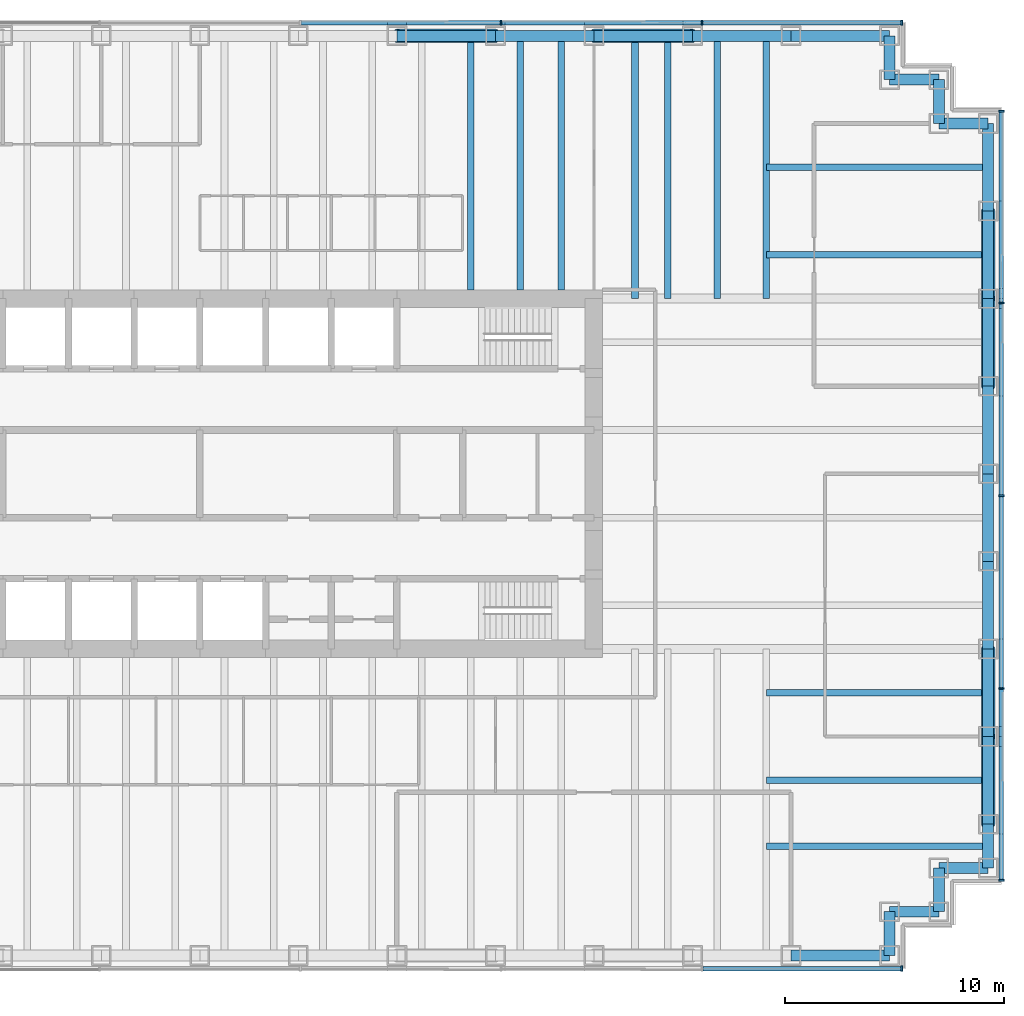
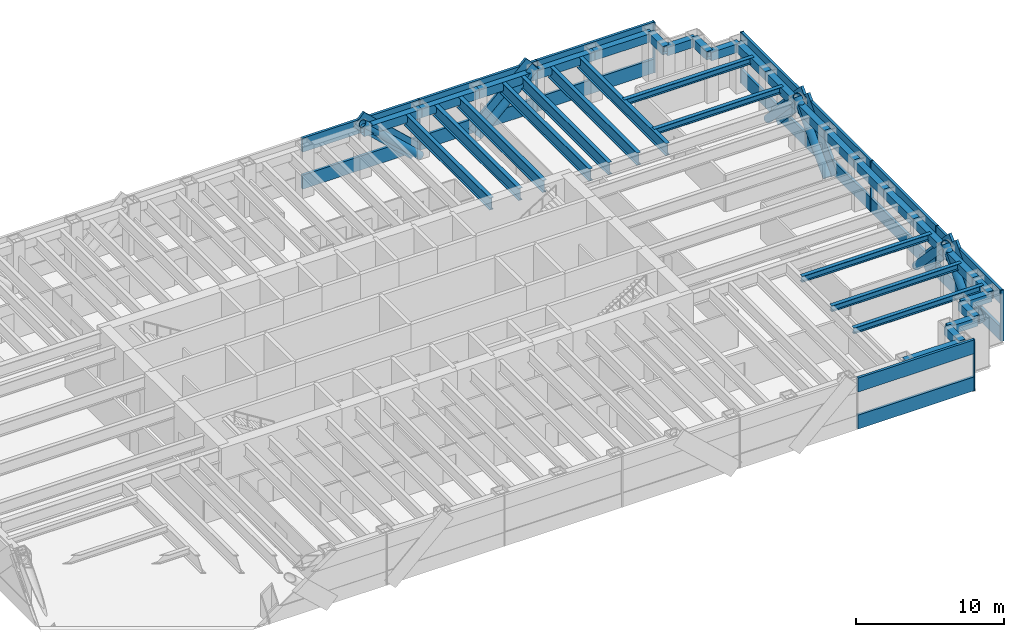
# One storey, part 6 of 12: 37 members, 35 beams, 3 elements without a shape of their own.
"""IFC4 building model written with IfcOpenShell, lengths in metres."""

from ifc_helpers import new_model, si_unit, direction, frame, origin, origin_2d, place, context, subcontext, project, spatial, rectangle, hollow_rectangle, hollow_circle, i_section, extrude, material, material_profile, profile_set, type_object, element, aggregate, save


model = new_model("IFC4")

# Units and contexts
model_context = context("Model", 3, precision=1e-05, world=origin(), true_north=direction((0.0, 1.0)))
body_context = subcontext(model_context, "Body", "Model", "MODEL_VIEW")
ifc_project = project(units=[si_unit("LENGTHUNIT", "METRE"), si_unit("AREAUNIT", "SQUARE_METRE"), si_unit("VOLUMEUNIT", "CUBIC_METRE"), si_unit("PLANEANGLEUNIT", "RADIAN"), si_unit("MASSUNIT", "GRAM", prefix="KILO")], contexts=[model_context])

# Site, building, storey
site_placement = place(None, origin())
site = spatial("IfcSite", under=ifc_project, at=site_placement, CompositionType="ELEMENT")
building_placement = place(site_placement, origin())
building = spatial("IfcBuilding", under=site, at=building_placement, Name="Rheinbord Bourse Tower", CompositionType="ELEMENT")
storey_placement = place(building_placement, frame((0.0, 0.0, 261.39990234375)))
storey = spatial("IfcBuildingStorey", under=building, at=storey_placement, Name="L59", CompositionType="ELEMENT", Elevation=261.39990234375)

# Beams
ifc_material_1 = material(Name="Steel S460M", Category="steel")
ifc_material_profile_1 = material_profile(ifc_material_1, hollow_rectangle(XDim=0.5, YDim=0.699951171875, WallThickness=0.0400390625, at=origin_2d()), Name="BOX 700x500x40")
ifc_profile_set_1 = profile_set([ifc_material_profile_1], Name="Steel S460M")
beam_type_1 = type_object("IfcBeamType", Name="BELT CHORD BOX 700x500x40", PredefinedType="SPANDREL", material=ifc_profile_set_1)
beam_1_placement = place(storey_placement, frame((63.0, 2.0, 3.60009765625), z_axis=(1.0, 0.0, 0.0), x_axis=(0.0, 1.0, 0.0)))
element("IfcBeam", 1, at=beam_1_placement, inside=storey, type_object=beam_type_1, Name="Spandrel S-63-SE-E under L60", PredefinedType="SPANDREL", context=body_context, shape_type="SweptSolid", body=[
    extrude(hollow_rectangle(XDim=0.5, YDim=0.699951171875, WallThickness=0.0400390625, at=origin_2d()), origin(), (0.0, 0.0, 1.0), 4.5),
])
beam_2_placement = place(storey_placement, frame((67.5, 2.0, 3.60009765625), z_axis=(0.0, 1.0, 0.0), x_axis=(-1.0, 0.0, 0.0)))
element("IfcBeam", 2, at=beam_2_placement, inside=storey, type_object=beam_type_1, Name="Spandrel SE-E-SE-D under L60", PredefinedType="SPANDREL", context=body_context, shape_type="SweptSolid", body=[
    extrude(hollow_rectangle(XDim=0.5, YDim=0.699951171875, WallThickness=0.0400390625, at=origin_2d()), origin(), (0.0, 0.0, 1.0), 2.0),
])
beam_3_placement = place(storey_placement, frame((67.5, 4.0, 3.60009765625), z_axis=(1.0, 0.0, 0.0), x_axis=(0.0, 1.0, 0.0)))
element("IfcBeam", 3, at=beam_3_placement, inside=storey, type_object=beam_type_1, Name="Spandrel SE-D-SE-C under L60", PredefinedType="SPANDREL", context=body_context, shape_type="SweptSolid", body=[
    extrude(hollow_rectangle(XDim=0.5, YDim=0.699951171875, WallThickness=0.0400390625, at=origin_2d()), origin(), (0.0, 0.0, 1.0), 2.25),
])
beam_4_placement = place(storey_placement, frame((69.75, 4.0, 3.60009765625), z_axis=(0.0, 1.0, 0.0), x_axis=(-1.0, 0.0, 0.0)))
element("IfcBeam", 4, at=beam_4_placement, inside=storey, type_object=beam_type_1, Name="Spandrel SE-C-SE-B under L60", PredefinedType="SPANDREL", context=body_context, shape_type="SweptSolid", body=[
    extrude(hollow_rectangle(XDim=0.5, YDim=0.699951171875, WallThickness=0.0400390625, at=origin_2d()), origin(), (0.0, 0.0, 1.0), 2.0),
])
beam_5_placement = place(storey_placement, frame((69.75, 6.0, 3.60009765625), z_axis=(1.0, 0.0, 0.0), x_axis=(0.0, 1.0, 0.0)))
element("IfcBeam", 5, at=beam_5_placement, inside=storey, type_object=beam_type_1, Name="Spandrel SE-B-SE-A under L60", PredefinedType="SPANDREL", context=body_context, shape_type="SweptSolid", body=[
    extrude(hollow_rectangle(XDim=0.5, YDim=0.699951171875, WallThickness=0.0400390625, at=origin_2d()), origin(), (0.0, 0.0, 1.0), 2.25),
])
beam_6_placement = place(storey_placement, frame((72.0, 6.0, 3.60009765625), z_axis=(0.0, 1.0, 0.0), x_axis=(-1.0, 0.0, 0.0)))
element("IfcBeam", 6, at=beam_6_placement, inside=storey, type_object=beam_type_1, Name="Spandrel SE-A-E-8 under L60", PredefinedType="SPANDREL", context=body_context, shape_type="SweptSolid", body=[
    extrude(hollow_rectangle(XDim=0.5, YDim=0.699951171875, WallThickness=0.0400390625, at=origin_2d()), origin(), (0.0, 0.0, 1.0), 2.0),
])
for number, where, z_axis, x_axis, name in (
    (7, (72.0, 8.0, 3.60009765625), (0.0, 1.0, 0.0), (-1.0, 0.0, 0.0), "Spandrel E-8-E-12 under L60"),
    (8, (72.0, 12.0, 3.60009765625), (0.0, 1.0, 0.0), (-1.0, 0.0, 0.0), "Spandrel E-12-E-16 under L60"),
    (9, (72.0, 16.0, 3.60009765625), (0.0, 1.0, 0.0), (-1.0, 0.0, 0.0), "Spandrel E-16-E-20 under L60"),
    (10, (72.0, 20.0, 3.60009765625), (0.0, 1.0, 0.0), (-1.0, 0.0, 0.0), "Spandrel E-20-E-24 under L60"),
    (11, (72.0, 24.0, 3.60009765625), (0.0, 1.0, 0.0), (-1.0, 0.0, 0.0), "Spandrel E-24-E-28 under L60"),
    (12, (72.0, 28.0, 3.60009765625), (0.0, 1.0, 0.0), (-1.0, 0.0, 0.0), "Spandrel E-28-E-32 under L60"),
    (13, (72.0, 32.0, 3.60009765625), (0.0, 1.0, 0.0), (-1.0, 0.0, 0.0), "Spandrel E-32-E-36 under L60"),
    (14, (72.0, 36.0, 3.60009765625), (0.0, 1.0, 0.0), (-1.0, 0.0, 0.0), "Spandrel E-36-NE-A under L60"),
):
    element("IfcBeam", number, at=place(storey_placement, frame(where, z_axis=z_axis, x_axis=x_axis)), inside=storey, type_object=beam_type_1, Name=name, PredefinedType="SPANDREL", context=body_context, shape_type="SweptSolid", body=[
        extrude(hollow_rectangle(XDim=0.5, YDim=0.699951171875, WallThickness=0.0400390625, at=origin_2d()), origin(), (0.0, 0.0, 1.0), 4.0),
    ])
beam_7_placement = place(storey_placement, frame((72.0, 40.0, 3.60009765625), z_axis=(-1.0, 0.0, 0.0), x_axis=(0.0, -1.0, 0.0)))
element("IfcBeam", 15, at=beam_7_placement, inside=storey, type_object=beam_type_1, Name="Spandrel NE-A-NE-B under L60", PredefinedType="SPANDREL", context=body_context, shape_type="SweptSolid", body=[
    extrude(hollow_rectangle(XDim=0.5, YDim=0.699951171875, WallThickness=0.0400390625, at=origin_2d()), origin(), (0.0, 0.0, 1.0), 2.25),
])
beam_8_placement = place(storey_placement, frame((69.75, 40.0, 3.60009765625), z_axis=(0.0, 1.0, 0.0), x_axis=(-1.0, 0.0, 0.0)))
element("IfcBeam", 16, at=beam_8_placement, inside=storey, type_object=beam_type_1, Name="Spandrel NE-B-NE-C under L60", PredefinedType="SPANDREL", context=body_context, shape_type="SweptSolid", body=[
    extrude(hollow_rectangle(XDim=0.5, YDim=0.699951171875, WallThickness=0.0400390625, at=origin_2d()), origin(), (0.0, 0.0, 1.0), 2.0),
])
beam_9_placement = place(storey_placement, frame((69.75, 42.0, 3.60009765625), z_axis=(-1.0, 0.0, 0.0), x_axis=(0.0, -1.0, 0.0)))
element("IfcBeam", 17, at=beam_9_placement, inside=storey, type_object=beam_type_1, Name="Spandrel NE-C-NE-D under L60", PredefinedType="SPANDREL", context=body_context, shape_type="SweptSolid", body=[
    extrude(hollow_rectangle(XDim=0.5, YDim=0.699951171875, WallThickness=0.0400390625, at=origin_2d()), origin(), (0.0, 0.0, 1.0), 2.25),
])
beam_10_placement = place(storey_placement, frame((67.5, 42.0, 3.60009765625), z_axis=(0.0, 1.0, 0.0), x_axis=(-1.0, 0.0, 0.0)))
element("IfcBeam", 18, at=beam_10_placement, inside=storey, type_object=beam_type_1, Name="Spandrel NE-D-NE-E under L60", PredefinedType="SPANDREL", context=body_context, shape_type="SweptSolid", body=[
    extrude(hollow_rectangle(XDim=0.5, YDim=0.699951171875, WallThickness=0.0400390625, at=origin_2d()), origin(), (0.0, 0.0, 1.0), 2.0),
])
for number, where, z_axis, x_axis, name in (
    (19, (67.5, 44.0, 3.60009765625), (-1.0, 0.0, 0.0), (0.0, -1.0, 0.0), "Spandrel NE-E-N-63 under L60"),
    (20, (63.0, 44.0, 3.60009765625), (-1.0, 0.0, 0.0), (0.0, -1.0, 0.0), "Spandrel N-63-N-58.5 under L60"),
    (21, (58.5, 44.0, 3.60009765625), (-1.0, 0.0, 0.0), (0.0, -1.0, 0.0), "Spandrel N-58.5-N-54 under L60"),
    (22, (54.0, 44.0, 3.60009765625), (-1.0, 0.0, 0.0), (0.0, -1.0, 0.0), "Spandrel N-54-N-49.5 under L60"),
    (23, (49.5, 44.0, 3.60009765625), (-1.0, 0.0, 0.0), (0.0, -1.0, 0.0), "Spandrel N-49.5-N-45 under L60"),
):
    element("IfcBeam", number, at=place(storey_placement, frame(where, z_axis=z_axis, x_axis=x_axis)), inside=storey, type_object=beam_type_1, Name=name, PredefinedType="SPANDREL", context=body_context, shape_type="SweptSolid", body=[
        extrude(hollow_rectangle(XDim=0.5, YDim=0.699951171875, WallThickness=0.0400390625, at=origin_2d()), origin(), (0.0, 0.0, 1.0), 4.5),
    ])

# Curtain wall, members
ifc_material_2 = material(Name="Dark glass and black aluminium", Category="aluminium")
curtain_wall_type = type_object("IfcCurtainWallType", Name="CW5 DARK GLASS CURTAIN WALL", PredefinedType="USERDEFINED", material=ifc_material_2)
curtain_wall_1_placement = place(storey_placement, origin())
curtain_wall_1 = element("IfcCurtainWall", 24, at=curtain_wall_1_placement, inside=storey, type_object=curtain_wall_type, Name="Curtain wall CW5 E L59", ObjectType="UNITISED CURTAIN WALL", PredefinedType="USERDEFINED")
ifc_material_3 = material(Name="Black anodised aluminium", Category="aluminium")
ifc_material_profile_2 = material_profile(ifc_material_3, rectangle(XDim=0.199951171875, YDim=1.259033203125, at=origin_2d()), Name="CW5 DIAGONAL MULLION 1259x200")
ifc_profile_set_2 = profile_set([ifc_material_profile_2], Name="Black anodised aluminium")
member_type_1 = type_object("IfcMemberType", Name="CW5 BLACK DIAGONAL MULLION", PredefinedType="USERDEFINED", material=ifc_profile_set_2)
member_1_placement = place(storey_placement, frame((72.60009765625, 28.0, 0.0), z_axis=(0.0, 0.689638355374, 0.72415394689), x_axis=(-1.0, 0.0, 0.0)))
member_1 = element("IfcMember", 25, at=member_1_placement, type_object=member_type_1, Name="CW5 diagonal mullion a", ObjectType="DIAGONAL MULLION", PredefinedType="USERDEFINED", context=body_context, shape_type="SweptSolid", body=[
    extrude(rectangle(XDim=0.199951171875, YDim=1.259033203125, at=origin_2d()), origin(), (0.0, 0.0, 1.0), 5.800048828125),
])
member_2_placement = place(storey_placement, frame((72.60009765625, 16.0, 0.0), z_axis=(0.0, -0.689638355374, 0.72415394689), x_axis=(1.0, 0.0, 0.0)))
member_2 = element("IfcMember", 26, at=member_2_placement, type_object=member_type_1, Name="CW5 diagonal mullion b", ObjectType="DIAGONAL MULLION", PredefinedType="USERDEFINED", context=body_context, shape_type="SweptSolid", body=[
    extrude(rectangle(XDim=0.199951171875, YDim=1.259033203125, at=origin_2d()), origin(), (0.0, 0.0, 1.0), 5.800048828125),
])
member_3_placement = place(storey_placement, frame((72.60009765625, 36.0, 0.0), z_axis=(0.0, -0.689638355374, 0.72415394689), x_axis=(1.0, 0.0, 0.0)))
member_3 = element("IfcMember", 27, at=member_3_placement, type_object=member_type_1, Name="CW5 diagonal mullion c", ObjectType="DIAGONAL MULLION", PredefinedType="USERDEFINED", context=body_context, shape_type="SweptSolid", body=[
    extrude(rectangle(XDim=0.199951171875, YDim=1.259033203125, at=origin_2d()), origin(), (0.0, 0.0, 1.0), 5.800048828125),
])
member_4_placement = place(storey_placement, frame((72.60009765625, 8.0, 0.0), z_axis=(0.0, 0.689638355374, 0.72415394689), x_axis=(-1.0, 0.0, 0.0)))
member_4 = element("IfcMember", 28, at=member_4_placement, type_object=member_type_1, Name="CW5 diagonal mullion d", ObjectType="DIAGONAL MULLION", PredefinedType="USERDEFINED", context=body_context, shape_type="SweptSolid", body=[
    extrude(rectangle(XDim=0.199951171875, YDim=1.259033203125, at=origin_2d()), origin(), (0.0, 0.0, 1.0), 5.800048828125),
])

curtain_wall_2_placement = place(storey_placement, origin())
curtain_wall_2 = element("IfcCurtainWall", 29, at=curtain_wall_2_placement, inside=storey, type_object=curtain_wall_type, Name="Curtain wall CW5 N L59", ObjectType="UNITISED CURTAIN WALL", PredefinedType="USERDEFINED")
member_5_placement = place(storey_placement, frame((49.5, 44.60009765625, 0.0), z_axis=(-0.731039441158, 0.0, 0.682335207557), x_axis=(0.0, -1.0, 0.0)))
member_5 = element("IfcMember", 30, at=member_5_placement, type_object=member_type_1, Name="CW5 diagonal mullion b", ObjectType="DIAGONAL MULLION", PredefinedType="USERDEFINED", context=body_context, shape_type="SweptSolid", body=[
    extrude(rectangle(XDim=0.199951171875, YDim=1.259033203125, at=origin_2d()), origin(), (0.0, 0.0, 1.0), 6.155517578125),
])
member_6_placement = place(storey_placement, frame((54.0, 44.60009765625, 0.0), z_axis=(0.731039441158, 0.0, 0.682335207557), x_axis=(0.0, 1.0, 0.0)))
member_6 = element("IfcMember", 31, at=member_6_placement, type_object=member_type_1, Name="CW5 diagonal mullion c", ObjectType="DIAGONAL MULLION", PredefinedType="USERDEFINED", context=body_context, shape_type="SweptSolid", body=[
    extrude(rectangle(XDim=0.199951171875, YDim=1.259033203125, at=origin_2d()), origin(), (0.0, 0.0, 1.0), 6.155517578125),
])

# Curtain wall, member
curtain_wall_3_placement = place(storey_placement, origin())
curtain_wall_3 = element("IfcCurtainWall", 32, at=curtain_wall_3_placement, inside=storey, type_object=curtain_wall_type, Name="Curtain wall CW5 S L59", ObjectType="UNITISED CURTAIN WALL", PredefinedType="USERDEFINED")
ifc_material_4 = material(Name="Black anodised aluminium", Category="aluminium")
ifc_material_profile_3 = material_profile(ifc_material_4, rectangle(XDim=0.25, YDim=0.080078125, at=origin_2d()), Name="CW5 MULLION 80x250")
ifc_profile_set_3 = profile_set([ifc_material_profile_3], Name="Black anodised aluminium")
member_type_2 = type_object("IfcMemberType", Name="CW5 BLACK MULLION", PredefinedType="MULLION", material=ifc_profile_set_3)
member_7_placement = place(storey_placement, frame((68.06005859375, 1.39990234375, 0.0), z_axis=(0.0, 0.0, 1.0), x_axis=(0.0, 1.0, 0.0)))
member_7 = element("IfcMember", 33, at=member_7_placement, type_object=member_type_2, Name="CW5 mullion 8", PredefinedType="MULLION", context=body_context, shape_type="SweptSolid", body=[
    extrude(rectangle(XDim=0.25, YDim=0.080078125, at=origin_2d()), origin(), (0.0, 0.0, 1.0), 4.2001953125),
])

# Member
member_8_placement = place(storey_placement, frame((72.60009765625, 5.43994140625, 0.0), z_axis=(0.0, 0.0, 1.0), x_axis=(-1.0, 0.0, 0.0)))
member_8 = element("IfcMember", 34, at=member_8_placement, type_object=member_type_2, Name="CW5 mullion 1", PredefinedType="MULLION", context=body_context, shape_type="SweptSolid", body=[
    extrude(rectangle(XDim=0.25, YDim=0.080078125, at=origin_2d()), origin(), (0.0, 0.0, 1.0), 4.2001953125),
])

member_9_placement = place(storey_placement, frame((72.60009765625, 14.199951171875, 0.0), z_axis=(0.0, 0.0, 1.0), x_axis=(-1.0, 0.0, 0.0)))
member_9 = element("IfcMember", 35, at=member_9_placement, type_object=member_type_2, Name="CW5 mullion 2", PredefinedType="MULLION", context=body_context, shape_type="SweptSolid", body=[
    extrude(rectangle(XDim=0.25, YDim=0.080078125, at=origin_2d()), origin(), (0.0, 0.0, 1.0), 4.2001953125),
])

member_10_placement = place(storey_placement, frame((72.60009765625, 23.0, 0.0), z_axis=(0.0, 0.0, 1.0), x_axis=(-1.0, 0.0, 0.0)))
member_10 = element("IfcMember", 36, at=member_10_placement, type_object=member_type_2, Name="CW5 mullion 3", PredefinedType="MULLION", context=body_context, shape_type="SweptSolid", body=[
    extrude(rectangle(XDim=0.25, YDim=0.080078125, at=origin_2d()), origin(), (0.0, 0.0, 1.0), 4.2001953125),
])

member_11_placement = place(storey_placement, frame((72.60009765625, 31.800048828125, 0.0), z_axis=(0.0, 0.0, 1.0), x_axis=(-1.0, 0.0, 0.0)))
member_11 = element("IfcMember", 37, at=member_11_placement, type_object=member_type_2, Name="CW5 mullion 4", PredefinedType="MULLION", context=body_context, shape_type="SweptSolid", body=[
    extrude(rectangle(XDim=0.25, YDim=0.080078125, at=origin_2d()), origin(), (0.0, 0.0, 1.0), 4.2001953125),
])

member_12_placement = place(storey_placement, frame((72.60009765625, 40.56005859375, 0.0), z_axis=(0.0, 0.0, 1.0), x_axis=(-1.0, 0.0, 0.0)))
member_12 = element("IfcMember", 38, at=member_12_placement, type_object=member_type_2, Name="CW5 mullion 5", PredefinedType="MULLION", context=body_context, shape_type="SweptSolid", body=[
    extrude(rectangle(XDim=0.25, YDim=0.080078125, at=origin_2d()), origin(), (0.0, 0.0, 1.0), 4.2001953125),
])

member_13_placement = place(storey_placement, frame((68.06005859375, 44.60009765625, 0.0), z_axis=(0.0, 0.0, 1.0), x_axis=(0.0, -1.0, 0.0)))
member_13 = element("IfcMember", 39, at=member_13_placement, type_object=member_type_2, Name="CW5 mullion 1", PredefinedType="MULLION", context=body_context, shape_type="SweptSolid", body=[
    extrude(rectangle(XDim=0.25, YDim=0.080078125, at=origin_2d()), origin(), (0.0, 0.0, 1.0), 4.2001953125),
])

member_14_placement = place(storey_placement, frame((58.928466796875, 44.60009765625, 0.0), z_axis=(0.0, 0.0, 1.0), x_axis=(0.0, -1.0, 0.0)))
member_14 = element("IfcMember", 40, at=member_14_placement, type_object=member_type_2, Name="CW5 mullion 2", PredefinedType="MULLION", context=body_context, shape_type="SweptSolid", body=[
    extrude(rectangle(XDim=0.25, YDim=0.080078125, at=origin_2d()), origin(), (0.0, 0.0, 1.0), 4.2001953125),
])

member_15_placement = place(storey_placement, frame((49.757080078125, 44.60009765625, 0.0), z_axis=(0.0, 0.0, 1.0), x_axis=(0.0, -1.0, 0.0)))
member_15 = element("IfcMember", 41, at=member_15_placement, type_object=member_type_2, Name="CW5 mullion 3", PredefinedType="MULLION", context=body_context, shape_type="SweptSolid", body=[
    extrude(rectangle(XDim=0.25, YDim=0.080078125, at=origin_2d()), origin(), (0.0, 0.0, 1.0), 4.2001953125),
])

ifc_material_5 = material(Name="Black anodised aluminium", Category="aluminium")
ifc_material_profile_4 = material_profile(ifc_material_5, rectangle(XDim=0.199951171875, YDim=1.14990234375, at=origin_2d()), Name="CW5 TRANSOM 1150x200")
ifc_profile_set_4 = profile_set([ifc_material_profile_4], Name="Black anodised aluminium")
member_type_3 = type_object("IfcMemberType", Name="CW5 BLACK TRANSOM", PredefinedType="USERDEFINED", material=ifc_profile_set_4)
member_16_placement = place(storey_placement, frame((58.968505859375, 1.39990234375, 0.5751953125), z_axis=(1.0, 0.0, 0.0), x_axis=(0.0, 1.0, 0.0)))
member_16 = element("IfcMember", 42, at=member_16_placement, type_object=member_type_3, Name="CW5 transom 7.1", ObjectType="TRANSOM", PredefinedType="USERDEFINED", context=body_context, shape_type="SweptSolid", body=[
    extrude(rectangle(XDim=0.199951171875, YDim=1.14990234375, at=origin_2d()), origin(), (0.0, 0.0, 1.0), 9.051513671875),
])

member_17_placement = place(storey_placement, frame((58.968505859375, 1.39990234375, 3.625), z_axis=(1.0, 0.0, 0.0), x_axis=(0.0, 1.0, 0.0)))
member_17 = element("IfcMember", 43, at=member_17_placement, type_object=member_type_3, Name="CW5 transom 7.2", ObjectType="TRANSOM", PredefinedType="USERDEFINED", context=body_context, shape_type="SweptSolid", body=[
    extrude(rectangle(XDim=0.199951171875, YDim=1.14990234375, at=origin_2d()), origin(), (0.0, 0.0, 1.0), 9.051513671875),
])

aggregate(curtain_wall_3, [member_7, member_16, member_17])

member_18_placement = place(storey_placement, frame((72.60009765625, 5.47998046875, 0.5751953125), z_axis=(0.0, 1.0, 0.0), x_axis=(-1.0, 0.0, 0.0)))
member_18 = element("IfcMember", 44, at=member_18_placement, type_object=member_type_3, Name="CW5 transom 1.1", ObjectType="TRANSOM", PredefinedType="USERDEFINED", context=body_context, shape_type="SweptSolid", body=[
    extrude(rectangle(XDim=0.199951171875, YDim=1.14990234375, at=origin_2d()), origin(), (0.0, 0.0, 1.0), 8.679931640625),
])

member_19_placement = place(storey_placement, frame((72.60009765625, 5.47998046875, 3.625), z_axis=(0.0, 1.0, 0.0), x_axis=(-1.0, 0.0, 0.0)))
member_19 = element("IfcMember", 45, at=member_19_placement, type_object=member_type_3, Name="CW5 transom 1.2", ObjectType="TRANSOM", PredefinedType="USERDEFINED", context=body_context, shape_type="SweptSolid", body=[
    extrude(rectangle(XDim=0.199951171875, YDim=1.14990234375, at=origin_2d()), origin(), (0.0, 0.0, 1.0), 8.679931640625),
])

member_20_placement = place(storey_placement, frame((72.60009765625, 14.239990234375, 0.5751953125), z_axis=(0.0, 1.0, 0.0), x_axis=(-1.0, 0.0, 0.0)))
member_20 = element("IfcMember", 46, at=member_20_placement, type_object=member_type_3, Name="CW5 transom 2.1", ObjectType="TRANSOM", PredefinedType="USERDEFINED", context=body_context, shape_type="SweptSolid", body=[
    extrude(rectangle(XDim=0.199951171875, YDim=1.14990234375, at=origin_2d()), origin(), (0.0, 0.0, 1.0), 8.719970703125),
])

member_21_placement = place(storey_placement, frame((72.60009765625, 14.239990234375, 3.625), z_axis=(0.0, 1.0, 0.0), x_axis=(-1.0, 0.0, 0.0)))
member_21 = element("IfcMember", 47, at=member_21_placement, type_object=member_type_3, Name="CW5 transom 2.2", ObjectType="TRANSOM", PredefinedType="USERDEFINED", context=body_context, shape_type="SweptSolid", body=[
    extrude(rectangle(XDim=0.199951171875, YDim=1.14990234375, at=origin_2d()), origin(), (0.0, 0.0, 1.0), 8.719970703125),
])

member_22_placement = place(storey_placement, frame((72.60009765625, 23.0400390625, 0.5751953125), z_axis=(0.0, 1.0, 0.0), x_axis=(-1.0, 0.0, 0.0)))
member_22 = element("IfcMember", 48, at=member_22_placement, type_object=member_type_3, Name="CW5 transom 3.1", ObjectType="TRANSOM", PredefinedType="USERDEFINED", context=body_context, shape_type="SweptSolid", body=[
    extrude(rectangle(XDim=0.199951171875, YDim=1.14990234375, at=origin_2d()), origin(), (0.0, 0.0, 1.0), 8.719970703125),
])

member_23_placement = place(storey_placement, frame((72.60009765625, 23.0400390625, 3.625), z_axis=(0.0, 1.0, 0.0), x_axis=(-1.0, 0.0, 0.0)))
member_23 = element("IfcMember", 49, at=member_23_placement, type_object=member_type_3, Name="CW5 transom 3.2", ObjectType="TRANSOM", PredefinedType="USERDEFINED", context=body_context, shape_type="SweptSolid", body=[
    extrude(rectangle(XDim=0.199951171875, YDim=1.14990234375, at=origin_2d()), origin(), (0.0, 0.0, 1.0), 8.719970703125),
])

member_24_placement = place(storey_placement, frame((72.60009765625, 31.840087890625, 0.5751953125), z_axis=(0.0, 1.0, 0.0), x_axis=(-1.0, 0.0, 0.0)))
member_24 = element("IfcMember", 50, at=member_24_placement, type_object=member_type_3, Name="CW5 transom 4.1", ObjectType="TRANSOM", PredefinedType="USERDEFINED", context=body_context, shape_type="SweptSolid", body=[
    extrude(rectangle(XDim=0.199951171875, YDim=1.14990234375, at=origin_2d()), origin(), (0.0, 0.0, 1.0), 8.679931640625),
])

member_25_placement = place(storey_placement, frame((72.60009765625, 31.840087890625, 3.625), z_axis=(0.0, 1.0, 0.0), x_axis=(-1.0, 0.0, 0.0)))
member_25 = element("IfcMember", 51, at=member_25_placement, type_object=member_type_3, Name="CW5 transom 4.2", ObjectType="TRANSOM", PredefinedType="USERDEFINED", context=body_context, shape_type="SweptSolid", body=[
    extrude(rectangle(XDim=0.199951171875, YDim=1.14990234375, at=origin_2d()), origin(), (0.0, 0.0, 1.0), 8.679931640625),
])

aggregate(curtain_wall_1, [member_8, member_9, member_10, member_11, member_12, member_18, member_19, member_20, member_21, member_22, member_23, member_24, member_25, member_1, member_2, member_3, member_4])

member_26_placement = place(storey_placement, frame((68.02001953125, 44.60009765625, 0.5751953125), z_axis=(-1.0, 0.0, 0.0), x_axis=(0.0, -1.0, 0.0)))
member_26 = element("IfcMember", 52, at=member_26_placement, type_object=member_type_3, Name="CW5 transom 1.1", ObjectType="TRANSOM", PredefinedType="USERDEFINED", context=body_context, shape_type="SweptSolid", body=[
    extrude(rectangle(XDim=0.199951171875, YDim=1.14990234375, at=origin_2d()), origin(), (0.0, 0.0, 1.0), 9.051513671875),
])

member_27_placement = place(storey_placement, frame((68.02001953125, 44.60009765625, 3.625), z_axis=(-1.0, 0.0, 0.0), x_axis=(0.0, -1.0, 0.0)))
member_27 = element("IfcMember", 53, at=member_27_placement, type_object=member_type_3, Name="CW5 transom 1.2", ObjectType="TRANSOM", PredefinedType="USERDEFINED", context=body_context, shape_type="SweptSolid", body=[
    extrude(rectangle(XDim=0.199951171875, YDim=1.14990234375, at=origin_2d()), origin(), (0.0, 0.0, 1.0), 9.051513671875),
])

member_28_placement = place(storey_placement, frame((58.888671875, 44.60009765625, 0.5751953125), z_axis=(-1.0, 0.0, 0.0), x_axis=(0.0, -1.0, 0.0)))
member_28 = element("IfcMember", 54, at=member_28_placement, type_object=member_type_3, Name="CW5 transom 2.1", ObjectType="TRANSOM", PredefinedType="USERDEFINED", context=body_context, shape_type="SweptSolid", body=[
    extrude(rectangle(XDim=0.199951171875, YDim=1.14990234375, at=origin_2d()), origin(), (0.0, 0.0, 1.0), 9.091552734375),
])

member_29_placement = place(storey_placement, frame((58.888671875, 44.60009765625, 3.625), z_axis=(-1.0, 0.0, 0.0), x_axis=(0.0, -1.0, 0.0)))
member_29 = element("IfcMember", 55, at=member_29_placement, type_object=member_type_3, Name="CW5 transom 2.2", ObjectType="TRANSOM", PredefinedType="USERDEFINED", context=body_context, shape_type="SweptSolid", body=[
    extrude(rectangle(XDim=0.199951171875, YDim=1.14990234375, at=origin_2d()), origin(), (0.0, 0.0, 1.0), 9.091552734375),
])

member_30_placement = place(storey_placement, frame((49.717041015625, 44.60009765625, 0.5751953125), z_axis=(-1.0, 0.0, 0.0), x_axis=(0.0, -1.0, 0.0)))
member_30 = element("IfcMember", 56, at=member_30_placement, type_object=member_type_3, Name="CW5 transom 3.1", ObjectType="TRANSOM", PredefinedType="USERDEFINED", context=body_context, shape_type="SweptSolid", body=[
    extrude(rectangle(XDim=0.199951171875, YDim=1.14990234375, at=origin_2d()), origin(), (0.0, 0.0, 1.0), 9.09130859375),
])

member_31_placement = place(storey_placement, frame((49.717041015625, 44.60009765625, 3.625), z_axis=(-1.0, 0.0, 0.0), x_axis=(0.0, -1.0, 0.0)))
member_31 = element("IfcMember", 57, at=member_31_placement, type_object=member_type_3, Name="CW5 transom 3.2", ObjectType="TRANSOM", PredefinedType="USERDEFINED", context=body_context, shape_type="SweptSolid", body=[
    extrude(rectangle(XDim=0.199951171875, YDim=1.14990234375, at=origin_2d()), origin(), (0.0, 0.0, 1.0), 9.09130859375),
])

aggregate(curtain_wall_2, [member_13, member_14, member_15, member_26, member_27, member_28, member_29, member_30, member_31, member_5, member_6])

# Beams
ifc_material_6 = material(Name="Steel S460", Category="steel")
ifc_material_profile_5 = material_profile(ifc_material_6, i_section(OverallWidth=0.302001953125, OverallDepth=1.008056640625, WebThickness=0.02099609375, FlangeThickness=0.0400390625, at=origin_2d()), Name="HEM 1000")
ifc_profile_set_5 = profile_set([ifc_material_profile_5], Name="Steel S460")
beam_type_2 = type_object("IfcBeamType", Name="FLOOR BEAM HEM 1000", PredefinedType="BEAM", material=ifc_profile_set_5)
for number, where, z_axis, x_axis, name in (
    (58, (48.375, 44.0, 3.446044921875), (0.0, -1.0, 0.0), (1.0, 0.0, 0.0), "Floor beam N-45b L60"),
    (59, (50.625, 44.0, 3.446044921875), (0.0, -1.0, 0.0), (1.0, 0.0, 0.0), "Floor beam N-49.5a L60"),
    (60, (52.5, 44.0, 3.446044921875), (0.0, -1.0, 0.0), (1.0, 0.0, 0.0), "Floor beam N-49.5b L60"),
):
    element("IfcBeam", number, at=place(storey_placement, frame(where, z_axis=z_axis, x_axis=x_axis)), inside=storey, type_object=beam_type_2, Name=name, PredefinedType="BEAM", context=body_context, shape_type="SweptSolid", body=[
        extrude(i_section(OverallWidth=0.302001953125, OverallDepth=1.008056640625, WebThickness=0.02099609375, FlangeThickness=0.0400390625, at=origin_2d()), origin(), (0.0, 0.0, 1.0), 11.60009765625),
    ])
for number, where, z_axis, x_axis, name in (
    (61, (55.875, 44.0, 3.446044921875), (0.0, -1.0, 0.0), (1.0, 0.0, 0.0), "Floor beam N-54a L60"),
    (62, (57.375, 44.0, 3.446044921875), (0.0, -1.0, 0.0), (1.0, 0.0, 0.0), "Floor beam N-54b L60"),
    (63, (59.625, 44.0, 3.446044921875), (0.0, -1.0, 0.0), (1.0, 0.0, 0.0), "Floor beam N-58.5a L60"),
    (64, (61.875, 44.0, 3.446044921875), (0.0, -1.0, 0.0), (1.0, 0.0, 0.0), "Floor beam N-58.5b L60"),
):
    element("IfcBeam", number, at=place(storey_placement, frame(where, z_axis=z_axis, x_axis=x_axis)), inside=storey, type_object=beam_type_2, Name=name, PredefinedType="BEAM", context=body_context, shape_type="SweptSolid", body=[
        extrude(i_section(OverallWidth=0.302001953125, OverallDepth=1.008056640625, WebThickness=0.02099609375, FlangeThickness=0.0400390625, at=origin_2d()), origin(), (0.0, 0.0, 1.0), 12.0),
    ])

# Members
ifc_material_7 = material(Name="Steel S460", Category="steel")
ifc_material_profile_6 = material_profile(ifc_material_7, hollow_circle(Radius=0.304931640625, WallThickness=0.0400390625, at=origin_2d()), Name="CHS 610x40")
ifc_profile_set_6 = profile_set([ifc_material_profile_6], Name="Steel S460")
member_type_4 = type_object("IfcMemberType", Name="MEGABRACE CHS 610x40", PredefinedType="BRACE", material=ifc_profile_set_6)
for number, where, z_axis, x_axis, name in (
    (65, (72.0, 28.0, 0.0), (0.0, 0.689638355374, 0.72415394689), (-1.0, 0.0, 0.0), "Megabrace E face line a L59"),
    (66, (72.0, 16.0, 0.0), (0.0, -0.689638355374, 0.72415394689), (1.0, 0.0, 0.0), "Megabrace E face line b L59"),
    (67, (72.0, 36.0, 0.0), (0.0, -0.689638355374, 0.72415394689), (1.0, 0.0, 0.0), "Megabrace E face line c L59"),
    (68, (72.0, 8.0, 0.0), (0.0, 0.689638355374, 0.72415394689), (-1.0, 0.0, 0.0), "Megabrace E face line d L59"),
):
    element("IfcMember", number, at=place(storey_placement, frame(where, z_axis=z_axis, x_axis=x_axis)), inside=storey, type_object=member_type_4, Name=name, PredefinedType="BRACE", context=body_context, shape_type="SweptSolid", body=[
        extrude(hollow_circle(Radius=0.304931640625, WallThickness=0.0400390625, at=origin_2d()), origin(), (0.0, 0.0, 1.0), 5.800048828125),
    ])
for number, where, z_axis, x_axis, name in (
    (69, (49.5, 44.0, 0.0), (-0.731039441158, 0.0, 0.682335207557), (0.0, -1.0, 0.0), "Megabrace N face line b L59"),
    (70, (54.0, 44.0, 0.0), (0.731039441158, 0.0, 0.682335207557), (0.0, 1.0, 0.0), "Megabrace N face line c L59"),
):
    element("IfcMember", number, at=place(storey_placement, frame(where, z_axis=z_axis, x_axis=x_axis)), inside=storey, type_object=member_type_4, Name=name, PredefinedType="BRACE", context=body_context, shape_type="SweptSolid", body=[
        extrude(hollow_circle(Radius=0.304931640625, WallThickness=0.0400390625, at=origin_2d()), origin(), (0.0, 0.0, 1.0), 6.155517578125),
    ])

# Beams
ifc_material_8 = material(Name="Steel S460", Category="steel")
ifc_material_profile_7 = material_profile(ifc_material_8, i_section(OverallWidth=0.300048828125, OverallDepth=0.5, WebThickness=0.014404296875, FlangeThickness=0.028076171875, at=origin_2d()), Name="HEB 500")
ifc_profile_set_7 = profile_set([ifc_material_profile_7], Name="Steel S460")
beam_type_3 = type_object("IfcBeamType", Name="TIE BEAM HEB 500", PredefinedType="JOIST", material=ifc_profile_set_7)
for number, where, z_axis, x_axis, name in (
    (71, (61.875, 7.0, 3.7001953125), (1.0, 0.0, 0.0), (0.0, 1.0, 0.0), "Tie east 7 L60"),
    (72, (61.875, 10.0, 3.7001953125), (1.0, 0.0, 0.0), (0.0, 1.0, 0.0), "Tie east 10 L60"),
    (73, (61.875, 14.0, 3.7001953125), (1.0, 0.0, 0.0), (0.0, 1.0, 0.0), "Tie east 14 L60"),
    (74, (61.875, 34.0, 3.7001953125), (1.0, 0.0, 0.0), (0.0, 1.0, 0.0), "Tie east 34 L60"),
    (75, (61.875, 38.0, 3.7001953125), (1.0, 0.0, 0.0), (0.0, 1.0, 0.0), "Tie east 38 L60"),
):
    element("IfcBeam", number, at=place(storey_placement, frame(where, z_axis=z_axis, x_axis=x_axis)), inside=storey, type_object=beam_type_3, Name=name, PredefinedType="JOIST", context=body_context, shape_type="SweptSolid", body=[
        extrude(i_section(OverallWidth=0.300048828125, OverallDepth=0.5, WebThickness=0.014404296875, FlangeThickness=0.028076171875, at=origin_2d()), origin(), (0.0, 0.0, 1.0), 10.125),
    ])

save(model, "model.ifc")
